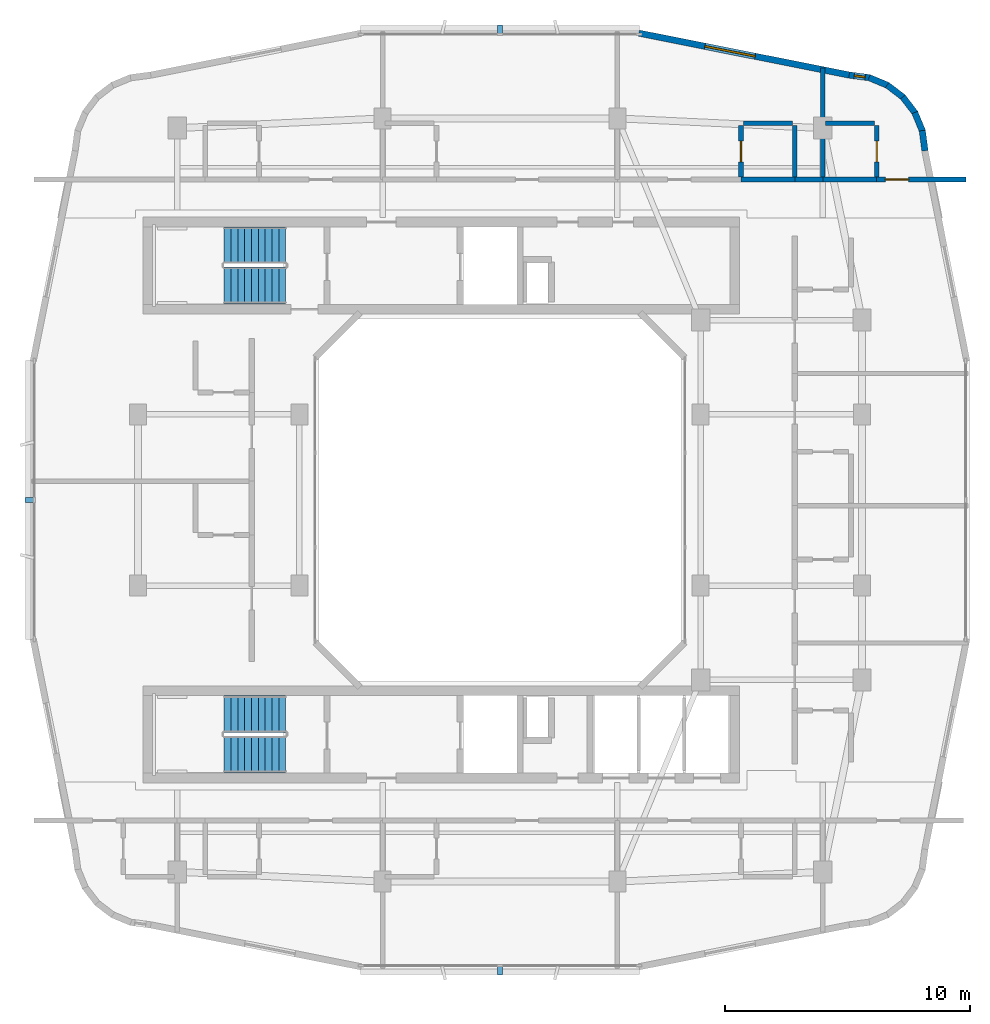
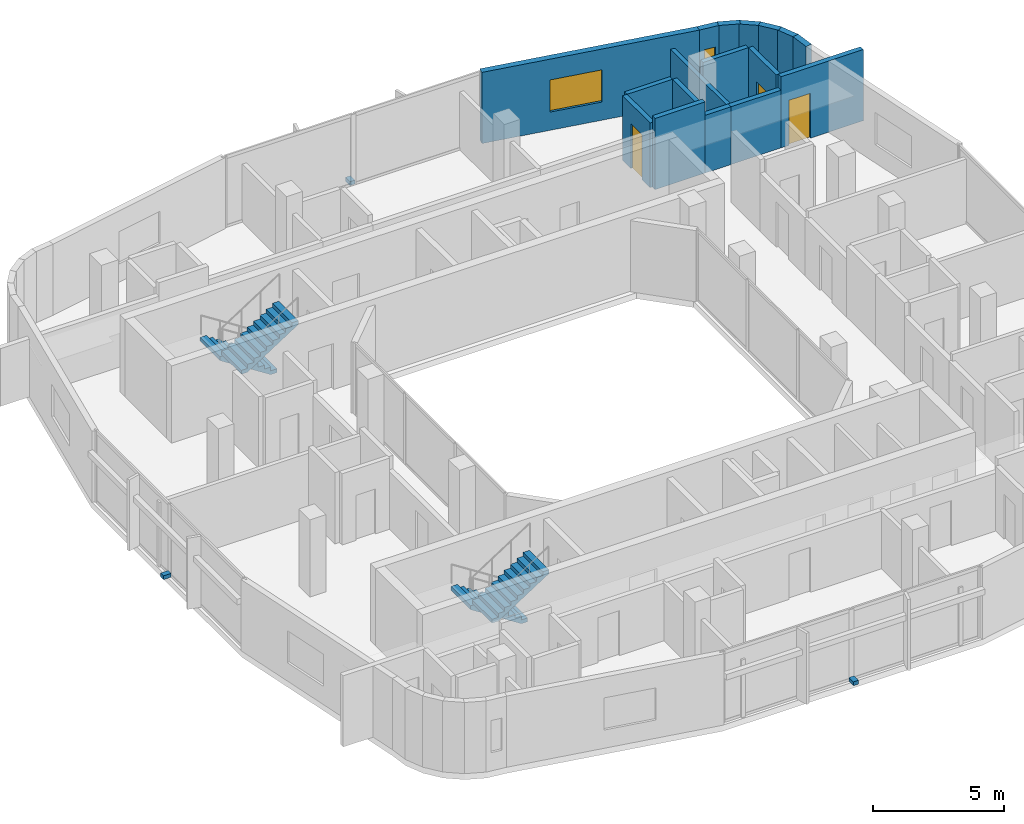
# One storey, part 10 of 14: 17 walls, 4 stair flights, 3 discrete accessories, 3 doors, 2 windows, 5 openings, 2 elements without a shape of their own.
"""IFC4 building model written with IfcOpenShell, lengths in metres."""

from ifc_helpers import new_model, si_unit, derived_unit, direction, frame, frame_2d, origin, origin_2d, place, context, subcontext, project, spatial, polyline, rectangle, outline, extrude, material, layer, layer_set, type_object, element, fill, aggregate, save


model = new_model("IFC4")

# Units and contexts
model_context = context("Model", 3, precision=1e-05, world=origin(), true_north=direction((0.0, 1.0)))
body_context = subcontext(model_context, "Body", "Model", "MODEL_VIEW")
ifc_project = project(units=[si_unit("LENGTHUNIT", "METRE"), si_unit("AREAUNIT", "SQUARE_METRE"), si_unit("VOLUMEUNIT", "CUBIC_METRE"), si_unit("PLANEANGLEUNIT", "RADIAN"), si_unit("MASSUNIT", "GRAM", prefix="KILO"), derived_unit("THERMALTRANSMITTANCEUNIT", [(si_unit("POWERUNIT", "WATT"), 1), (si_unit("LENGTHUNIT", "METRE"), -2), (si_unit("THERMODYNAMICTEMPERATUREUNIT", "KELVIN"), -1)])], contexts=[model_context])

# Site, building, storey
site_placement = place(None, origin())
site = spatial("IfcSite", under=ifc_project, at=site_placement, CompositionType="ELEMENT")
building_placement = place(site_placement, origin())
building = spatial("IfcBuilding", under=site, at=building_placement, Name="Kivonza Crest Hotel", CompositionType="ELEMENT")
storey_placement = place(building_placement, frame((0.0, 0.0, 224.300048828125)))
storey = spatial("IfcBuildingStorey", under=building, at=storey_placement, Name="L61", CompositionType="ELEMENT", Elevation=224.300048828125)

# Walls
ifc_material_1 = material(Name="High-density acoustic masonry inter-tenancy wall", Category="masonry")
ifc_layer_1 = layer(ifc_material_1, 0.179931640625)
ifc_layer_set_1 = layer_set([ifc_layer_1], Name="High-density acoustic masonry inter-tenancy wall")
wall_type_1 = type_object("IfcWallType", Name="WL-ACOU-180", PredefinedType="SOLIDWALL", material=ifc_layer_set_1)
wall_1_placement = place(storey_placement, frame((34.199951171875, 38.10009765625, 0.0), z_axis=(0.0, 0.0, 1.0), x_axis=(0.0, 1.0, 0.0)))
element("IfcWall", 1, at=wall_1_placement, inside=storey, type_object=wall_type_1, Name="L61 interior partition WA-L61-T1N-DIV3", PredefinedType="SOLIDWALL", context=body_context, shape_type="SweptSolid", body=[
    extrude(rectangle(XDim=4.557861328125, YDim=0.179931640625, at=frame_2d((2.27880859375, 0.0))), origin(), (0.0, 0.0, 1.0), 2.695068359375),
])
ifc_material_2 = material(Name="Autoclaved aerated concrete blockwork", Category="masonry")
ifc_layer_2 = layer(ifc_material_2, 0.219970703125)
ifc_layer_set_2 = layer_set([ifc_layer_2], Name="Autoclaved aerated concrete blockwork")
wall_type_2 = type_object("IfcWallType", Name="WL-ACOU-220", PredefinedType="SOLIDWALL", material=ifc_layer_set_2)
wall_2_placement = place(storey_placement, frame((33.050048828125, 38.10009765625, 0.0), z_axis=(0.0, 0.0, 1.0), x_axis=(1.0, 0.0, 0.0)))
element("IfcWall", 2, at=wall_2_placement, inside=storey, type_object=wall_type_2, Name="L61 interior partition WA-L61-N03-XCORR", PredefinedType="SOLIDWALL", context=body_context, shape_type="SweptSolid", body=[
    extrude(rectangle(XDim=1.14990234375, YDim=0.219970703125, at=frame_2d((0.574951171875, 0.0))), origin(), (0.0, 0.0, 1.0), 2.695068359375),
])
wall_3_placement = place(storey_placement, frame((30.85009765625, 38.10009765625, 0.0), z_axis=(0.0, 0.0, 1.0), x_axis=(1.0, 0.0, 0.0)))
element("IfcWall", 3, at=wall_3_placement, inside=storey, type_object=wall_type_2, Name="L61 interior partition WA-L61-N03-BCORR", PredefinedType="SOLIDWALL", context=body_context, shape_type="SweptSolid", body=[
    extrude(rectangle(XDim=2.199951171875, YDim=0.219970703125, at=frame_2d((1.10009765625, 0.0))), origin(), (0.0, 0.0, 1.0), 3.320068359375),
])
wall_4_placement = place(storey_placement, frame((34.199951171875, 38.10009765625, 0.0), z_axis=(0.0, 0.0, 1.0), x_axis=(1.0, 0.0, 0.0)))
element("IfcWall", 4, at=wall_4_placement, inside=storey, type_object=wall_type_2, Name="L61 interior partition WA-L61-N04-BCORR", PredefinedType="SOLIDWALL", context=body_context, shape_type="SweptSolid", body=[
    extrude(rectangle(XDim=2.199951171875, YDim=0.219970703125, at=frame_2d((1.10009765625, 0.0))), origin(), (0.0, 0.0, 1.0), 2.695068359375),
])

# Wall, opening, door
wall_5_placement = place(storey_placement, frame((36.39990234375, 38.10009765625, 0.0), z_axis=(0.0, 0.0, 1.0), x_axis=(1.0, 0.0, 0.0)))
wall_5 = element("IfcWall", 5, at=wall_5_placement, inside=storey, type_object=wall_type_2, Name="L61 interior partition WA-L61-N04-MCORR", PredefinedType="SOLIDWALL", context=body_context, shape_type="SweptSolid", body=[
    extrude(rectangle(XDim=3.64013671875, YDim=0.219970703125, at=frame_2d((1.820068359375, 0.0))), origin(), (0.0, 0.0, 1.0), 3.320068359375),
])
opening_1_placement = place(wall_5_placement, frame((0.35009765625, 0.0, 0.0)))
opening_1 = element("IfcOpeningElement", 6, at=opening_1_placement, cuts=wall_5, Name="Opening DU-60", PredefinedType="OPENING", context=body_context, shape_type="SweptSolid", body=[
    extrude(rectangle(XDim=0.949951171875, YDim=2.10009765625, at=frame_2d((0.47509765625, 1.050048828125))), frame((0.0, 0.1201171875, 0.0), z_axis=(0.0, -1.0, 0.0), x_axis=(1.0, 0.0, 0.0)), (0.0, 0.0, 1.0), 0.239990234375),
])
ifc_material_3 = material(Name="Hardwood timber oak", Category="wood")
door_type_1 = type_object("IfcDoorType", Name="DR-UNIT-950", OperationType="NOTDEFINED", PredefinedType="DOOR", material=ifc_material_3)
door_1_placement = place(opening_1_placement, origin())
door_1 = element("IfcDoor", 7, at=door_1_placement, inside=storey, type_object=door_type_1, Name="L61 N04 guest unit entrance fire door", OperationType="SINGLE_SWING_RIGHT", OverallHeight=2.10009765625, OverallWidth=0.949951171875, PredefinedType="DOOR", context=body_context, shape_type="SweptSolid", body=[
    extrude(rectangle(XDim=0.949951171875, YDim=2.10009765625, at=frame_2d((0.47509765625, 1.050048828125))), frame((0.0, 0.02490234375, 0.0), z_axis=(0.0, -1.0, 0.0), x_axis=(1.0, 0.0, 0.0)), (0.0, 0.0, 1.0), 0.050048828125),
])
fill(opening_1, door_1)

# Walls
ifc_material_4 = material(Name="Precast concrete C40/50", Category="concrete")
ifc_layer_3 = layer(ifc_material_4, 0.260009765625)
ifc_layer_set_3 = layer_set([ifc_layer_3], Name="Precast concrete C40/50")
wall_type_3 = type_object("IfcWallType", Name="WL-EXT-260", PredefinedType="STANDARD", material=ifc_layer_set_3)
wall_6_placement = place(storey_placement, frame((38.3720703125, 39.27490234375, 0.0), z_axis=(0.0, 0.0, 1.0), x_axis=(-0.130954667764, 0.9913883573, 0.0)))
element("IfcWall", 8, at=wall_6_placement, inside=storey, type_object=wall_type_3, Name="L61 T1 exterior insulated wall 19", PredefinedType="STANDARD", context=body_context, shape_type="SweptSolid", body=[
    extrude(rectangle(XDim=0.833251953125, YDim=0.260009765625, at=frame_2d((0.41650390625, 0.0))), origin(), (0.0, 0.0, 1.0), 3.320068359375),
])
wall_7_placement = place(storey_placement, frame((38.281005859375, 40.054931640625, 0.0), z_axis=(0.0, 0.0, 1.0), x_axis=(-0.382985169477, 0.923754491172, 0.0)))
element("IfcWall", 9, at=wall_7_placement, inside=storey, type_object=wall_type_3, Name="L61 T1 exterior insulated wall 20", PredefinedType="STANDARD", context=body_context, shape_type="SweptSolid", body=[
    extrude(rectangle(XDim=0.85107421875, YDim=0.260009765625, at=frame_2d((0.425537109375, 0.0))), origin(), (0.0, 0.0, 1.0), 3.320068359375),
])
for number, where, z_axis, x_axis, name in (
    (10, (37.98291015625, 40.801025390625, 0.0), (0.0, 0.0, 1.0), (-0.607918988881, 0.793999057278, 0.0), "L61 T1 exterior insulated wall 21"),
    (11, (37.50390625, 41.445068359375, 0.0), (0.0, 0.0, 1.0), (-0.793892896323, 0.608057619941, 0.0), "L61 T1 exterior insulated wall 22"),
):
    element("IfcWall", number, at=place(storey_placement, frame(where, z_axis=z_axis, x_axis=x_axis)), inside=storey, type_object=wall_type_3, Name=name, PredefinedType="STANDARD", context=body_context, shape_type="SweptSolid", body=[
        extrude(rectangle(XDim=0.85009765625, YDim=0.260009765625, at=frame_2d((0.425048828125, 0.0))), origin(), (0.0, 0.0, 1.0), 3.320068359375),
    ])
wall_8_placement = place(storey_placement, frame((36.873046875, 41.94091796875, 0.0), z_axis=(0.0, 0.0, 1.0), x_axis=(-0.923652976167, 0.383229930484, 0.0)))
element("IfcWall", 12, at=wall_8_placement, inside=storey, type_object=wall_type_3, Name="L61 T1 exterior insulated wall 23", PredefinedType="STANDARD", context=body_context, shape_type="SweptSolid", body=[
    extrude(rectangle(XDim=0.85107421875, YDim=0.260009765625, at=frame_2d((0.425537109375, 0.0))), origin(), (0.0, 0.0, 1.0), 3.320068359375),
])

# Wall, opening, window
wall_9_placement = place(storey_placement, frame((36.135986328125, 42.259033203125, 0.0), z_axis=(0.0, 0.0, 1.0), x_axis=(-0.991493480548, 0.130156359936, 0.0)))
wall_9 = element("IfcWall", 13, at=wall_9_placement, inside=storey, type_object=wall_type_3, Name="L61 T1 exterior insulated wall 24", PredefinedType="STANDARD", context=body_context, shape_type="SweptSolid", body=[
    extrude(rectangle(XDim=0.868408203125, YDim=0.260009765625, at=frame_2d((0.43408203125, 0.0))), origin(), (0.0, 0.0, 1.0), 3.320068359375),
])
opening_2_placement = place(wall_9_placement, frame((0.208984375, 0.0, 0.85009765625)))
opening_2 = element("IfcOpeningElement", 14, at=opening_2_placement, cuts=wall_9, Name="Opening WN-11", PredefinedType="OPENING", context=body_context, shape_type="SweptSolid", body=[
    extrude(rectangle(XDim=0.449951171875, YDim=1.5, at=frame_2d((0.22509765625, 0.75))), frame((0.0, 0.14013671875, 0.0), z_axis=(0.0, -1.0, 0.0), x_axis=(1.0, 0.0, 0.0)), (0.0, 0.0, 1.0), 0.280029296875),
])
ifc_material_5 = material(Name="Thermally broken bronze aluminium and low-E double glazing", Category="aluminium")
window_type_1 = type_object("IfcWindowType", Name="WN-045x150", PartitioningType="SINGLE_PANEL", PredefinedType="WINDOW", material=ifc_material_5)
window_1_placement = place(opening_2_placement, origin())
window_1 = element("IfcWindow", 15, at=window_1_placement, inside=storey, type_object=window_type_1, Name="L61 corner vision window 1", OverallHeight=1.5, OverallWidth=0.449951171875, PartitioningType="SINGLE_PANEL", PredefinedType="WINDOW", context=body_context, shape_type="SweptSolid", body=[
    extrude(rectangle(XDim=0.449951171875, YDim=1.5, at=frame_2d((0.22509765625, 0.75))), frame((0.0, 0.030029296875, 0.0), z_axis=(0.0, -1.0, 0.0), x_axis=(1.0, 0.0, 0.0)), (0.0, 0.0, 1.0), 0.06005859375),
])
fill(opening_2, window_1)

wall_10_placement = place(storey_placement, frame((35.282958984375, 42.37109375, 0.0), z_axis=(0.0, 0.0, 1.0), x_axis=(-0.980745199176, 0.195291715883, 0.0)))
wall_10 = element("IfcWall", 16, at=wall_10_placement, inside=storey, type_object=wall_type_3, Name="L61 T1 exterior insulated wall 25", PredefinedType="STANDARD", context=body_context, shape_type="SweptSolid", body=[
    extrude(rectangle(XDim=8.77099609375, YDim=0.260009765625, at=frame_2d((4.385498046875, 0.0))), origin(), (0.0, 0.0, 1.0), 3.320068359375),
])
opening_3_placement = place(wall_10_placement, frame((3.925048828125, 0.0, 0.85009765625)))
opening_3 = element("IfcOpeningElement", 17, at=opening_3_placement, cuts=wall_10, Name="Opening WN-04", PredefinedType="OPENING", context=body_context, shape_type="SweptSolid", body=[
    extrude(rectangle(XDim=2.10009765625, YDim=1.5, at=frame_2d((1.050048828125, 0.75))), frame((0.0, 0.14013671875, 0.0), z_axis=(0.0, -1.0, 0.0), x_axis=(1.0, 0.0, 0.0)), (0.0, 0.0, 1.0), 0.280029296875),
])
window_type_2 = type_object("IfcWindowType", Name="WN-210x150", PartitioningType="DOUBLE_PANEL_VERTICAL", PredefinedType="WINDOW", material=ifc_material_5)
window_2_placement = place(opening_3_placement, origin())
window_2 = element("IfcWindow", 18, at=window_2_placement, inside=storey, type_object=window_type_2, Name="L61 T1 facade window 25", OverallHeight=1.5, OverallWidth=2.10009765625, PartitioningType="SINGLE_PANEL", PredefinedType="WINDOW", context=body_context, shape_type="SweptSolid", body=[
    extrude(rectangle(XDim=2.10009765625, YDim=1.5, at=frame_2d((1.050048828125, 0.75))), frame((0.0, 0.030029296875, 0.0), z_axis=(0.0, -1.0, 0.0), x_axis=(1.0, 0.0, 0.0)), (0.0, 0.0, 1.0), 0.06005859375),
])
fill(opening_3, window_2)

# Wall, opening, door
ifc_material_6 = material(Name="Moisture-resistant plumbing chase partition wall", Category="gypsum")
ifc_layer_4 = layer(ifc_material_6, 0.199951171875)
ifc_layer_set_4 = layer_set([ifc_layer_4], Name="Moisture-resistant plumbing chase partition wall")
wall_type_4 = type_object("IfcWallType", Name="WL-PLUMB-200", PredefinedType="PLUMBINGWALL", material=ifc_layer_set_4)
wall_11_placement = place(storey_placement, frame((30.85009765625, 38.199951171875, 0.0), z_axis=(0.0, 0.0, 1.0), x_axis=(0.0, 1.0, 0.0)))
wall_11 = element("IfcWall", 19, at=wall_11_placement, inside=storey, type_object=wall_type_4, Name="L61 interior partition WW-L61-N03-BV", PredefinedType="PLUMBINGWALL", context=body_context, shape_type="SweptSolid", body=[
    extrude(rectangle(XDim=2.10009765625, YDim=0.199951171875, at=frame_2d((1.050048828125, 0.0))), origin(), (0.0, 0.0, 1.0), 3.014892578125),
])
opening_4_placement = place(wall_11_placement, frame((0.625, 0.0, 0.0)))
opening_4 = element("IfcOpeningElement", 20, at=opening_4_placement, cuts=wall_11, Name="Opening DI-85", PredefinedType="OPENING", context=body_context, shape_type="SweptSolid", body=[
    extrude(rectangle(XDim=0.85009765625, YDim=2.10009765625, at=frame_2d((0.425048828125, 1.050048828125))), frame((0.0, 0.10986328125, 0.0), z_axis=(0.0, -1.0, 0.0), x_axis=(1.0, 0.0, 0.0)), (0.0, 0.0, 1.0), 0.219970703125),
])
door_type_2 = type_object("IfcDoorType", Name="DR-INT-850", OperationType="NOTDEFINED", PredefinedType="DOOR", material=ifc_material_3)
door_2_placement = place(opening_4_placement, origin())
door_2 = element("IfcDoor", 21, at=door_2_placement, inside=storey, type_object=door_type_2, Name="L61 N03 en-suite bathroom door", OperationType="SINGLE_SWING_RIGHT", OverallHeight=2.10009765625, OverallWidth=0.85009765625, PredefinedType="DOOR", context=body_context, shape_type="SweptSolid", body=[
    extrude(rectangle(XDim=0.85009765625, YDim=2.10009765625, at=frame_2d((0.425048828125, 1.050048828125))), frame((0.0, 0.02490234375, 0.0), z_axis=(0.0, -1.0, 0.0), x_axis=(1.0, 0.0, 0.0)), (0.0, 0.0, 1.0), 0.050048828125),
])
fill(opening_4, door_2)

# Walls
wall_12_placement = place(storey_placement, frame((30.949951171875, 40.39990234375, 0.0), z_axis=(0.0, 0.0, 1.0), x_axis=(1.0, 0.0, 0.0)))
element("IfcWall", 22, at=wall_12_placement, inside=storey, type_object=wall_type_4, Name="L61 interior partition WW-L61-N03-BH", PredefinedType="PLUMBINGWALL", context=body_context, shape_type="SweptSolid", body=[
    extrude(rectangle(XDim=2.0, YDim=0.199951171875, at=frame_2d((1.0, 0.0))), origin(), (0.0, 0.0, 1.0), 3.014892578125),
])
wall_13_placement = place(storey_placement, frame((33.050048828125, 38.199951171875, 0.0), z_axis=(0.0, 0.0, 1.0), x_axis=(0.0, 1.0, 0.0)))
element("IfcWall", 23, at=wall_13_placement, inside=storey, type_object=wall_type_4, Name="L61 interior partition WW-L61-N03-BVE", PredefinedType="PLUMBINGWALL", context=body_context, shape_type="SweptSolid", body=[
    extrude(rectangle(XDim=2.10009765625, YDim=0.199951171875, at=frame_2d((1.050048828125, 0.0))), origin(), (0.0, 0.0, 1.0), 3.014892578125),
])

# Wall, opening, door
wall_14_placement = place(storey_placement, frame((36.39990234375, 38.199951171875, 0.0), z_axis=(0.0, 0.0, 1.0), x_axis=(0.0, 1.0, 0.0)))
wall_14 = element("IfcWall", 24, at=wall_14_placement, inside=storey, type_object=wall_type_4, Name="L61 interior partition WW-L61-N04-BV", PredefinedType="PLUMBINGWALL", context=body_context, shape_type="SweptSolid", body=[
    extrude(rectangle(XDim=2.10009765625, YDim=0.199951171875, at=frame_2d((1.050048828125, 0.0))), origin(), (0.0, 0.0, 1.0), 3.320068359375),
])
opening_5_placement = place(wall_14_placement, frame((0.625, 0.0, 0.0)))
opening_5 = element("IfcOpeningElement", 25, at=opening_5_placement, cuts=wall_14, Name="Opening DI-85", PredefinedType="OPENING", context=body_context, shape_type="SweptSolid", body=[
    extrude(rectangle(XDim=0.85009765625, YDim=2.10009765625, at=frame_2d((0.425048828125, 1.050048828125))), frame((0.0, 0.10986328125, 0.0), z_axis=(0.0, -1.0, 0.0), x_axis=(1.0, 0.0, 0.0)), (0.0, 0.0, 1.0), 0.219970703125),
])
door_3_placement = place(opening_5_placement, frame((0.85009765625, 0.0, 0.0), z_axis=(0.0, 0.0, 1.0), x_axis=(-1.0, 0.0, 0.0)))
door_3 = element("IfcDoor", 26, at=door_3_placement, inside=storey, type_object=door_type_2, Name="L61 N04 en-suite bathroom door", OperationType="SINGLE_SWING_LEFT", OverallHeight=2.10009765625, OverallWidth=0.85009765625, PredefinedType="DOOR", context=body_context, shape_type="SweptSolid", body=[
    extrude(rectangle(XDim=0.85009765625, YDim=2.10009765625, at=frame_2d((0.425048828125, 1.050048828125))), frame((0.0, 0.02490234375, 0.0), z_axis=(0.0, -1.0, 0.0), x_axis=(1.0, 0.0, 0.0)), (0.0, 0.0, 1.0), 0.050048828125),
])
fill(opening_5, door_3)

# Wall
wall_15_placement = place(storey_placement, frame((34.300048828125, 40.39990234375, 0.0), z_axis=(0.0, 0.0, 1.0), x_axis=(1.0, 0.0, 0.0)))
element("IfcWall", 27, at=wall_15_placement, inside=storey, type_object=wall_type_4, Name="L61 interior partition WW-L61-N04-BH", PredefinedType="PLUMBINGWALL", context=body_context, shape_type="SweptSolid", body=[
    extrude(rectangle(XDim=2.0, YDim=0.199951171875, at=frame_2d((1.0, 0.0))), origin(), (0.0, 0.0, 1.0), 3.320068359375),
])

# Stair, stair flights
ifc_material_7 = material(Name="Concrete C40/50", Category="concrete")
stair_type = type_object("IfcStairType", Name="ST-DL-20R", PredefinedType="HALF_TURN_STAIR", material=ifc_material_7)
stair_1_placement = place(storey_placement, origin())
stair_1 = element("IfcStair", 28, at=stair_1_placement, inside=storey, type_object=stair_type, Name="L61 Protected Exit Stair ST-T1-N", PredefinedType="HALF_TURN_STAIR")
stair_flight_type = type_object("IfcStairFlightType", Name="SFL-RC-10R", PredefinedType="STRAIGHT", material=ifc_material_7)
stair_flight_1_placement = place(storey_placement, frame((12.239990234375, 35.409912109375, 0.0), z_axis=(0.0, 0.0, 1.0), x_axis=(-1.0, 0.0, 0.0)))
stair_flight_1 = element("IfcStairFlight", 29, at=stair_flight_1_placement, type_object=stair_flight_type, Name="ST-T1-N flight 1", NumberOfRisers=10, NumberOfTreads=9, PredefinedType="STRAIGHT", RiserHeight=0.18, TreadLength=0.28, context=body_context, shape_type="SweptSolid", body=[
    extrude(outline(polyline([(0.0, 0.0), (0.0, 0.179931640625), (0.280029296875, 0.179931640625), (0.280029296875, 0.360107421875), (0.56005859375, 0.360107421875), (0.56005859375, 0.5400390625), (0.840087890625, 0.5400390625), (0.840087890625, 0.719970703125), (1.1201171875, 0.719970703125), (1.1201171875, 0.89990234375), (1.39990234375, 0.89990234375), (1.39990234375, 1.080078125), (1.679931640625, 1.080078125), (1.679931640625, 1.260009765625), (1.9599609375, 1.260009765625), (1.9599609375, 1.43994140625), (2.239990234375, 1.43994140625), (2.239990234375, 1.6201171875), (2.52001953125, 1.6201171875), (2.52001953125, 1.800048828125), (2.52001953125, 1.44189453125), (0.277099609375, 0.0), (0.0, 0.0)])), frame((0.0, 0.75, 0.0), z_axis=(0.0, -1.0, 0.0), x_axis=(1.0, 0.0, 0.0)), (0.0, 0.0, 1.0), 1.5),
])
stair_flight_2_placement = place(storey_placement, frame((9.719970703125, 33.77001953125, 1.800048828125), z_axis=(0.0, 0.0, 1.0), x_axis=(1.0, 0.0, 0.0)))
stair_flight_2 = element("IfcStairFlight", 30, at=stair_flight_2_placement, type_object=stair_flight_type, Name="ST-T1-N flight 2", NumberOfRisers=10, NumberOfTreads=9, PredefinedType="STRAIGHT", RiserHeight=0.18, TreadLength=0.28, context=body_context, shape_type="SweptSolid", body=[
    extrude(outline(polyline([(0.0, 0.0), (0.0, 0.179931640625), (0.280029296875, 0.179931640625), (0.280029296875, 0.360107421875), (0.56005859375, 0.360107421875), (0.56005859375, 0.5400390625), (0.840087890625, 0.5400390625), (0.840087890625, 0.719970703125), (1.1201171875, 0.719970703125), (1.1201171875, 0.89990234375), (1.39990234375, 0.89990234375), (1.39990234375, 1.080078125), (1.679931640625, 1.080078125), (1.679931640625, 1.260009765625), (1.9599609375, 1.260009765625), (1.9599609375, 1.43994140625), (2.239990234375, 1.43994140625), (2.239990234375, 1.6201171875), (2.52001953125, 1.6201171875), (2.52001953125, 1.800048828125), (2.52001953125, 1.44189453125), (0.277099609375, 0.0), (0.0, 0.0)])), frame((0.0, 0.75, 0.0), z_axis=(0.0, -1.0, 0.0), x_axis=(1.0, 0.0, 0.0)), (0.0, 0.0, 1.0), 1.5),
])
aggregate(stair_1, [stair_flight_1, stair_flight_2])

stair_2_placement = place(storey_placement, origin())
stair_2 = element("IfcStair", 31, at=stair_2_placement, inside=storey, type_object=stair_type, Name="L61 Protected Exit Stair ST-T1-S", PredefinedType="HALF_TURN_STAIR")
stair_flight_3_placement = place(storey_placement, frame((12.239990234375, 16.25, 0.0), z_axis=(0.0, 0.0, 1.0), x_axis=(-1.0, 0.0, 0.0)))
stair_flight_3 = element("IfcStairFlight", 32, at=stair_flight_3_placement, type_object=stair_flight_type, Name="ST-T1-S flight 1", NumberOfRisers=10, NumberOfTreads=9, PredefinedType="STRAIGHT", RiserHeight=0.18, TreadLength=0.28, context=body_context, shape_type="SweptSolid", body=[
    extrude(outline(polyline([(0.0, 0.0), (0.0, 0.179931640625), (0.280029296875, 0.179931640625), (0.280029296875, 0.360107421875), (0.56005859375, 0.360107421875), (0.56005859375, 0.5400390625), (0.840087890625, 0.5400390625), (0.840087890625, 0.719970703125), (1.1201171875, 0.719970703125), (1.1201171875, 0.89990234375), (1.39990234375, 0.89990234375), (1.39990234375, 1.080078125), (1.679931640625, 1.080078125), (1.679931640625, 1.260009765625), (1.9599609375, 1.260009765625), (1.9599609375, 1.43994140625), (2.239990234375, 1.43994140625), (2.239990234375, 1.6201171875), (2.52001953125, 1.6201171875), (2.52001953125, 1.800048828125), (2.52001953125, 1.44189453125), (0.277099609375, 0.0), (0.0, 0.0)])), frame((0.0, 0.75, 0.0), z_axis=(0.0, -1.0, 0.0), x_axis=(1.0, 0.0, 0.0)), (0.0, 0.0, 1.0), 1.5),
])
stair_flight_4_placement = place(storey_placement, frame((9.719970703125, 14.610107421875, 1.800048828125), z_axis=(0.0, 0.0, 1.0), x_axis=(1.0, 0.0, 0.0)))
stair_flight_4 = element("IfcStairFlight", 33, at=stair_flight_4_placement, type_object=stair_flight_type, Name="ST-T1-S flight 2", NumberOfRisers=10, NumberOfTreads=9, PredefinedType="STRAIGHT", RiserHeight=0.18, TreadLength=0.28, context=body_context, shape_type="SweptSolid", body=[
    extrude(outline(polyline([(0.0, 0.0), (0.0, 0.179931640625), (0.280029296875, 0.179931640625), (0.280029296875, 0.360107421875), (0.56005859375, 0.360107421875), (0.56005859375, 0.5400390625), (0.840087890625, 0.5400390625), (0.840087890625, 0.719970703125), (1.1201171875, 0.719970703125), (1.1201171875, 0.89990234375), (1.39990234375, 0.89990234375), (1.39990234375, 1.080078125), (1.679931640625, 1.080078125), (1.679931640625, 1.260009765625), (1.9599609375, 1.260009765625), (1.9599609375, 1.43994140625), (2.239990234375, 1.43994140625), (2.239990234375, 1.6201171875), (2.52001953125, 1.6201171875), (2.52001953125, 1.800048828125), (2.52001953125, 1.44189453125), (0.277099609375, 0.0), (0.0, 0.0)])), frame((0.0, 0.75, 0.0), z_axis=(0.0, -1.0, 0.0), x_axis=(1.0, 0.0, 0.0)), (0.0, 0.0, 1.0), 1.5),
])
aggregate(stair_2, [stair_flight_3, stair_flight_4])

# Discrete accessories
ifc_material_8 = material(Name="Stainless steel 316", Category="steel")
discrete_accessory_type = type_object("IfcDiscreteAccessoryType", Name="AC-BRACKET-240", PredefinedType="BRACKET", material=ifc_material_8)
for number, where, z_axis, x_axis, name in (
    (34, (21.0, 5.760009765625, -0.01025390625), (0.0, 0.0, 1.0), (1.0, 0.0, 0.0), "L61 terracotta baguette support bracket CW-T1-L61-08"),
    (35, (21.0, 44.239990234375, -0.01025390625), (0.0, 0.0, 1.0), (-1.0, 0.0, 0.0), "L61 terracotta baguette support bracket CW-T1-L61-26"),
    (36, (1.760009765625, 25.0, -0.01025390625), (0.0, 0.0, 1.0), (0.0, -1.0, 0.0), "L61 terracotta baguette support bracket CW-T1-L61-35"),
):
    element("IfcDiscreteAccessory", number, at=place(storey_placement, frame(where, z_axis=z_axis, x_axis=x_axis)), inside=storey, type_object=discrete_accessory_type, Name=name, PredefinedType="BRACKET", context=body_context, shape_type="SweptSolid", body=[
        extrude(rectangle(XDim=0.219970703125, YDim=0.340087890625, at=origin_2d()), origin(), (0.0, 0.0, 1.0), 0.179931640625),
    ])

save(model, "model.ifc")
